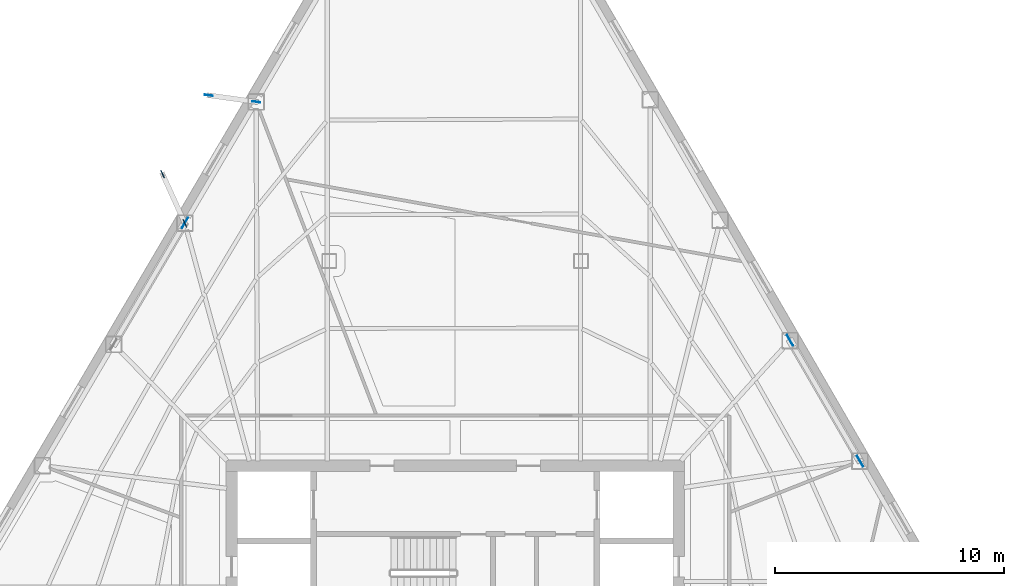
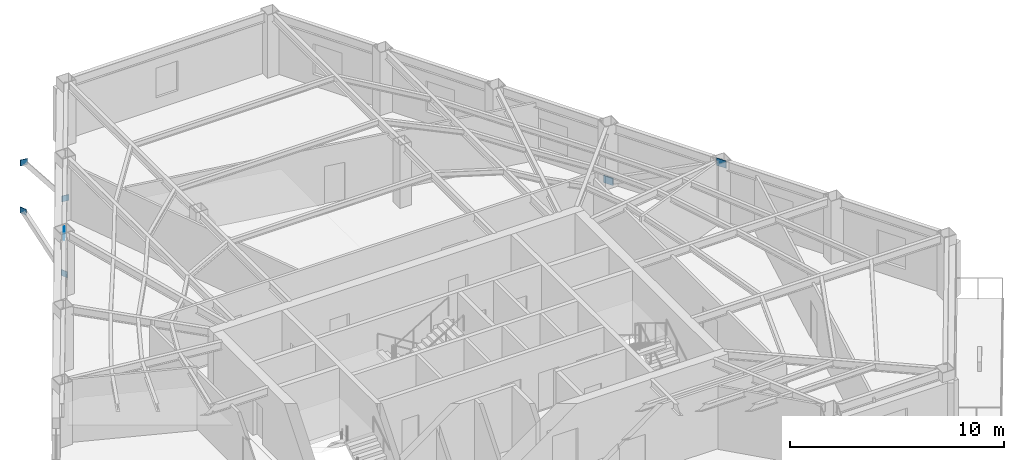
# One storey, part 5 of 11: 7 plates.
"""IFC4 building model written with IfcOpenShell, lengths in metres."""

from ifc_helpers import new_model, si_unit, direction, frame, origin, origin_2d, place, context, subcontext, project, spatial, rectangle, extrude, material, layer, layer_set, type_object, element, save


model = new_model("IFC4")

# Units and contexts
model_context = context("Model", 3, precision=1e-05, world=origin(), true_north=direction((0.0, 1.0)))
body_context = subcontext(model_context, "Body", "Model", "MODEL_VIEW")
ifc_project = project(units=[si_unit("LENGTHUNIT", "METRE"), si_unit("AREAUNIT", "SQUARE_METRE"), si_unit("VOLUMEUNIT", "CUBIC_METRE"), si_unit("PLANEANGLEUNIT", "RADIAN"), si_unit("MASSUNIT", "GRAM", prefix="KILO")], contexts=[model_context])

# Site, building, storey
site_placement = place(None, origin())
site = spatial("IfcSite", under=ifc_project, at=site_placement, CompositionType="ELEMENT")
building_placement = place(site_placement, origin())
building = spatial("IfcBuilding", under=site, at=building_placement, Name="Kavelnor Concourse Tower", CompositionType="ELEMENT")
storey_placement = place(building_placement, frame((0.0, 0.0, 139.39990234375)))
storey = spatial("IfcBuildingStorey", under=building, at=storey_placement, Name="L35", CompositionType="ELEMENT", Elevation=139.39990234375)

# Plates
ifc_material = material(Name="Steel Grade 350", Category="steel")
ifc_layer_1 = layer(ifc_material, 0.028076171875, Name="Steel Grade 350")
ifc_layer_set_1 = layer_set([ifc_layer_1], Name="Steel Grade 350")
plate_type_1 = type_object("IfcPlateType", Name="PL-GUSSET-FOLD", PredefinedType="USERDEFINED", material=ifc_layer_set_1)
for number, where, z_axis, x_axis, name in (
    (1, (29.3125, 38.751708984375, 0.8798828125), (0.0, 0.0, 1.0), (-0.990605176244, 0.136753006543, 0.0), "L35 Balcony Strut Gusset GP4 1-A End Gusset A"),
    (2, (27.2314453125, 39.0390625, 3.48486328125), (0.0, 0.0, 1.0), (-0.990605176244, 0.136753006543, 0.0), "L35 Balcony Strut Gusset GP4 1-A End Gusset B"),
    (3, (26.192138671875, 33.443603515625, 0.8798828125), (0.0, 0.0, 1.0), (-0.412627540369, 0.910899836935, 0.0), "L35 Balcony Strut Gusset GP4 1-B End Gusset A"),
    (4, (25.216552734375, 35.596923828125, 3.48486328125), (0.0, 0.0, 1.0), (-0.412627540369, 0.910899836935, 0.0), "L35 Balcony Strut Gusset GP4 1-B End Gusset B"),
):
    element("IfcPlate", number, at=place(storey_placement, frame(where, z_axis=z_axis, x_axis=x_axis)), inside=storey, type_object=plate_type_1, Name=name, ObjectType="GUSSET_PLATE", PredefinedType="USERDEFINED", context=body_context, shape_type="SweptSolid", body=[
        extrude(rectangle(XDim=0.360107421875, YDim=0.028076171875, at=origin_2d()), origin(), (0.0, 0.0, 1.0), 0.340087890625),
    ])
ifc_layer_2 = layer(ifc_material, 0.031982421875, Name="Steel Grade 350")
ifc_layer_set_2 = layer_set([ifc_layer_2], Name="Steel Grade 350")
plate_type_2 = type_object("IfcPlateType", Name="PL-GUSSET-TUBE-Z1", PredefinedType="USERDEFINED", material=ifc_layer_set_2)
for number, where, z_axis, x_axis, name in (
    (5, (26.193359375, 33.464599609375, 3.12353515625), (0.0, 0.0, 1.0), (0.50663578889, 0.862160180834, 0.0), "L35 Tube Brace Gusset GP3 F0-B2 End Gusset B"),
    (6, (52.627197265625, 28.335205078125, 0.01025390625), (0.0, 0.0, 1.0), (0.501812701416, -0.864976307593, 0.0), "L35 Tube Brace Gusset GP3 F2-B2 End Gusset A"),
    (7, (55.6923828125, 23.05126953125, 3.12353515625), (0.0, 0.0, 1.0), (0.501812701416, -0.864976307593, 0.0), "L35 Tube Brace Gusset GP3 F2-B2 End Gusset B"),
):
    element("IfcPlate", number, at=place(storey_placement, frame(where, z_axis=z_axis, x_axis=x_axis)), inside=storey, type_object=plate_type_2, Name=name, ObjectType="GUSSET_PLATE", PredefinedType="USERDEFINED", context=body_context, shape_type="SweptSolid", body=[
        extrude(rectangle(XDim=0.52001953125, YDim=0.031982421875, at=origin_2d()), origin(), (0.0, 0.0, 1.0), 0.419921875),
    ])

save(model, "model.ifc")
